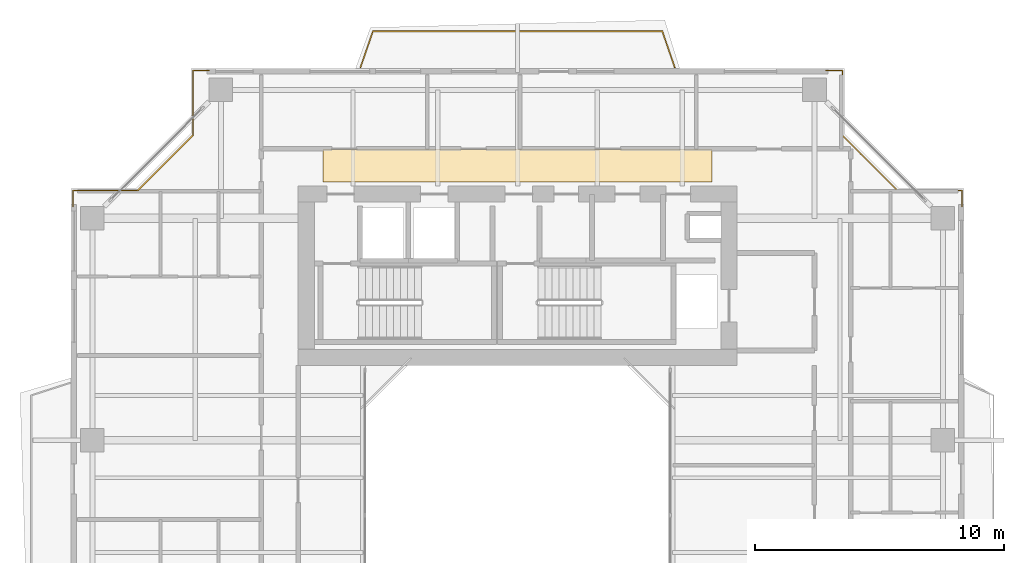
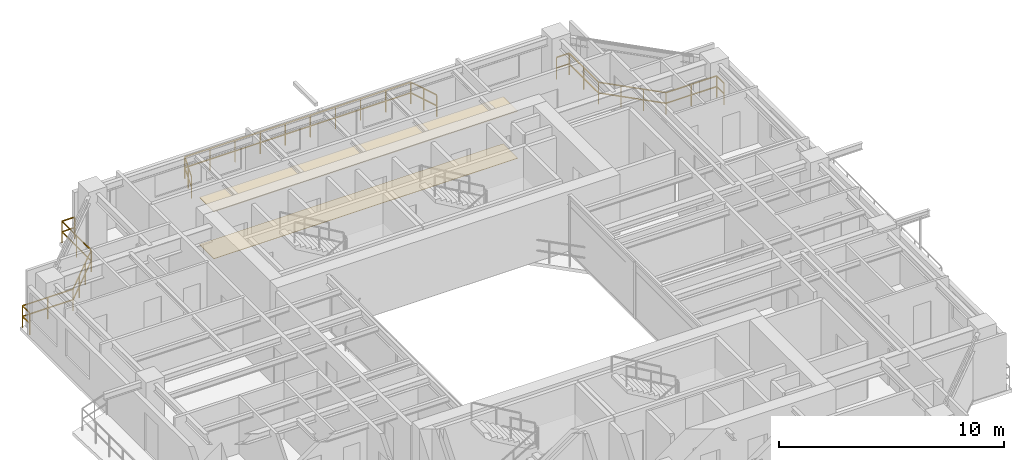
# One storey, part 18 of 18: 3 railings, 2 coverings.
"""IFC4 building model written with IfcOpenShell, lengths in metres."""

from ifc_helpers import new_model, si_unit, direction, frame, origin, origin_2d, place, context, subcontext, project, spatial, polyline, rectangle, outline, extrude, material, layer, layer_set, type_object, element, save


model = new_model("IFC4")

# Units and contexts
model_context = context("Model", 3, precision=1e-05, world=origin(), true_north=direction((0.0, 1.0)))
body_context = subcontext(model_context, "Body", "Model", "MODEL_VIEW")
ifc_project = project(units=[si_unit("LENGTHUNIT", "METRE"), si_unit("AREAUNIT", "SQUARE_METRE"), si_unit("VOLUMEUNIT", "CUBIC_METRE"), si_unit("PLANEANGLEUNIT", "RADIAN"), si_unit("MASSUNIT", "GRAM", prefix="KILO"), si_unit("THERMODYNAMICTEMPERATUREUNIT", "KELVIN"), si_unit("POWERUNIT", "WATT")], contexts=[model_context])

# Site, building, storey
site_placement = place(None, origin())
site = spatial("IfcSite", under=ifc_project, at=site_placement, CompositionType="ELEMENT")
building_placement = place(site_placement, origin())
building = spatial("IfcBuilding", under=site, at=building_placement, Name="Qiaomeng Ring Towers", CompositionType="ELEMENT")
storey_placement = place(building_placement, frame((0.0, 0.0, 179.5)))
storey = spatial("IfcBuildingStorey", under=building, at=storey_placement, Name="L52", CompositionType="ELEMENT", Elevation=179.5)

# Coverings
ifc_material_1 = material(Name="Mineral fibre acoustic ceiling tile", Category="gypsum")
ifc_layer_1 = layer(ifc_material_1, 0.02490234375, Name="Mineral fibre acoustic ceiling tile")
ifc_layer_set_1 = layer_set([ifc_layer_1], Name="Mineral fibre acoustic ceiling tile")
covering_type_1 = type_object("IfcCoveringType", Name="ARC-COV-CEIL1", PredefinedType="CEILING", material=ifc_layer_set_1)
covering_1_placement = place(storey_placement, frame((0.0, 0.0, 2.550048828125)))
element("IfcCovering", 1, at=covering_1_placement, inside=storey, type_object=covering_type_1, Name="L52 Corridor Acoustic Ceiling", PredefinedType="CEILING", context=body_context, shape_type="SweptSolid", body=[
    extrude(outline(polyline([(11.199951171875, 36.35009765625), (11.199951171875, 37.64990234375), (26.800048828125, 37.64990234375), (26.800048828125, 36.35009765625), (11.199951171875, 36.35009765625)])), origin(), (0.0, 0.0, 1.0), 0.02490234375),
])
ifc_material_2 = material(Name="Vitrified porcelain floor tile", Category="ceramic")
ifc_layer_2 = layer(ifc_material_2, 0.02001953125, Name="Vitrified porcelain floor tile")
ifc_layer_set_2 = layer_set([ifc_layer_2], Name="Vitrified porcelain floor tile")
covering_type_2 = type_object("IfcCoveringType", Name="ARC-COV-FLR1", PredefinedType="FLOORING", material=ifc_layer_set_2)
covering_2_placement = place(storey_placement, origin())
element("IfcCovering", 2, at=covering_2_placement, inside=storey, type_object=covering_type_2, Name="L52 Corridor Stone Flooring", PredefinedType="FLOORING", context=body_context, shape_type="SweptSolid", body=[
    extrude(outline(polyline([(11.199951171875, 36.35009765625), (11.199951171875, 37.64990234375), (26.800048828125, 37.64990234375), (26.800048828125, 36.35009765625), (11.199951171875, 36.35009765625)])), origin(), (0.0, 0.0, 1.0), 0.02001953125),
])

# Railings
ifc_material_3 = material(Name="Low-E pale-green laminated safety glass", Category="glass")
railing_type = type_object("IfcRailingType", Name="ARC-RL-BAL1", PredefinedType="BALUSTRADE", material=ifc_material_3)
railing_1_placement = place(storey_placement, frame((36.820068359375, 35.3701171875, 0.0)))
element("IfcRailing", 3, at=railing_1_placement, inside=storey, type_object=railing_type, Name="L52 Balustrade ARC-BAL-NOTCH1-L52-NE", PredefinedType="BALUSTRADE", context=body_context, shape_type="SweptSolid", body=[
    extrude(rectangle(XDim=0.048095703125, YDim=0.048095703125, at=origin_2d()), frame((0.0, 0.0, 1.17578125), z_axis=(0.0, 1.0, 0.0), x_axis=(-1.0, 0.0, 0.0)), (0.0, 0.0, 1.0), 0.64990234375),
    extrude(rectangle(XDim=0.048095703125, YDim=0.048095703125, at=origin_2d()), frame((0.0, 0.0, 0.60009765625), z_axis=(0.0, 1.0, 0.0), x_axis=(-1.0, 0.0, 0.0)), (0.0, 0.0, 1.0), 0.64990234375),
    extrude(rectangle(XDim=0.048095703125, YDim=0.048095703125, at=origin_2d()), frame((0.0, 0.64990234375, 1.17578125), z_axis=(-1.0, 0.0, 0.0), x_axis=(0.0, -1.0, 0.0)), (0.0, 0.0, 1.0), 2.60009765625),
    extrude(rectangle(XDim=0.048095703125, YDim=0.048095703125, at=origin_2d()), frame((0.0, 0.64990234375, 0.60009765625), z_axis=(-1.0, 0.0, 0.0), x_axis=(0.0, -1.0, 0.0)), (0.0, 0.0, 1.0), 2.60009765625),
    extrude(rectangle(XDim=0.048095703125, YDim=0.048095703125, at=origin_2d()), frame((-2.60009765625, 0.64990234375, 1.17578125), z_axis=(-0.707106781187, 0.707106781187, 0.0), x_axis=(-0.707106781187, -0.707106781187, 0.0)), (0.0, 0.0, 1.0), 3.111083984375),
    extrude(rectangle(XDim=0.048095703125, YDim=0.048095703125, at=origin_2d()), frame((-2.60009765625, 0.64990234375, 0.60009765625), z_axis=(-0.707106781187, 0.707106781187, 0.0), x_axis=(-0.707106781187, -0.707106781187, 0.0)), (0.0, 0.0, 1.0), 3.111083984375),
    extrude(rectangle(XDim=0.048095703125, YDim=0.048095703125, at=origin_2d()), frame((-4.800048828125, 2.849853515625, 1.17578125), z_axis=(0.0, 1.0, 0.0), x_axis=(-1.0, 0.0, 0.0)), (0.0, 0.0, 1.0), 2.60009765625),
    extrude(rectangle(XDim=0.048095703125, YDim=0.048095703125, at=origin_2d()), frame((-4.800048828125, 2.849853515625, 0.60009765625), z_axis=(0.0, 1.0, 0.0), x_axis=(-1.0, 0.0, 0.0)), (0.0, 0.0, 1.0), 2.60009765625),
    extrude(rectangle(XDim=0.048095703125, YDim=0.048095703125, at=origin_2d()), frame((-4.800048828125, 5.449951171875, 1.17578125), z_axis=(-1.0, 0.0, 0.0), x_axis=(0.0, -1.0, 0.0)), (0.0, 0.0, 1.0), 0.64990234375),
    extrude(rectangle(XDim=0.048095703125, YDim=0.048095703125, at=origin_2d()), frame((-4.800048828125, 5.449951171875, 0.60009765625), z_axis=(-1.0, 0.0, 0.0), x_axis=(0.0, -1.0, 0.0)), (0.0, 0.0, 1.0), 0.64990234375),
    extrude(rectangle(XDim=0.0419921875, YDim=0.0419921875, at=origin_2d()), origin(), (0.0, 0.0, 1.0), 1.15185546875),
    extrude(rectangle(XDim=0.0419921875, YDim=0.0419921875, at=origin_2d()), frame((0.0, 0.64990234375, 0.0)), (0.0, 0.0, 1.0), 1.15185546875),
    extrude(rectangle(XDim=0.0419921875, YDim=0.0419921875, at=origin_2d()), frame((-1.300048828125, 0.64990234375, 0.0)), (0.0, 0.0, 1.0), 1.15185546875),
    extrude(rectangle(XDim=0.0419921875, YDim=0.0419921875, at=origin_2d()), frame((-2.60009765625, 0.64990234375, 0.0)), (0.0, 0.0, 1.0), 1.15185546875),
    extrude(rectangle(XDim=0.0419921875, YDim=0.0419921875, at=origin_2d()), frame((-3.33349609375, 1.38330078125, 0.0)), (0.0, 0.0, 1.0), 1.15185546875),
    extrude(rectangle(XDim=0.0419921875, YDim=0.0419921875, at=origin_2d()), frame((-4.066650390625, 2.116455078125, 0.0)), (0.0, 0.0, 1.0), 1.15185546875),
    extrude(rectangle(XDim=0.0419921875, YDim=0.0419921875, at=origin_2d()), frame((-4.800048828125, 2.849853515625, 0.0)), (0.0, 0.0, 1.0), 1.15185546875),
    extrude(rectangle(XDim=0.0419921875, YDim=0.0419921875, at=origin_2d()), frame((-4.800048828125, 4.14990234375, 0.0)), (0.0, 0.0, 1.0), 1.15185546875),
    extrude(rectangle(XDim=0.0419921875, YDim=0.0419921875, at=origin_2d()), frame((-4.800048828125, 5.449951171875, 0.0)), (0.0, 0.0, 1.0), 1.15185546875),
    extrude(rectangle(XDim=0.0419921875, YDim=0.0419921875, at=origin_2d()), frame((-5.449951171875, 5.449951171875, 0.0)), (0.0, 0.0, 1.0), 1.15185546875),
])
railing_2_placement = place(storey_placement, frame((6.6298828125, 40.820068359375, 0.0)))
element("IfcRailing", 4, at=railing_2_placement, inside=storey, type_object=railing_type, Name="L52 Balustrade ARC-BAL-NOTCH1-L52-NW", PredefinedType="BALUSTRADE", context=body_context, shape_type="SweptSolid", body=[
    extrude(rectangle(XDim=0.048095703125, YDim=0.048095703125, at=origin_2d()), frame((0.0, 0.0, 1.17578125), z_axis=(-1.0, 0.0, 0.0), x_axis=(0.0, -1.0, 0.0)), (0.0, 0.0, 1.0), 0.64990234375),
    extrude(rectangle(XDim=0.048095703125, YDim=0.048095703125, at=origin_2d()), frame((0.0, 0.0, 0.60009765625), z_axis=(-1.0, 0.0, 0.0), x_axis=(0.0, -1.0, 0.0)), (0.0, 0.0, 1.0), 0.64990234375),
    extrude(rectangle(XDim=0.048095703125, YDim=0.048095703125, at=origin_2d()), frame((-0.64990234375, 0.0, 1.17578125), z_axis=(0.0, -1.0, 0.0), x_axis=(1.0, 0.0, 0.0)), (0.0, 0.0, 1.0), 2.60009765625),
    extrude(rectangle(XDim=0.048095703125, YDim=0.048095703125, at=origin_2d()), frame((-0.64990234375, 0.0, 0.60009765625), z_axis=(0.0, -1.0, 0.0), x_axis=(1.0, 0.0, 0.0)), (0.0, 0.0, 1.0), 2.60009765625),
    extrude(rectangle(XDim=0.048095703125, YDim=0.048095703125, at=origin_2d()), frame((-0.64990234375, -2.60009765625, 1.17578125), z_axis=(-0.707106781187, -0.707106781187, 0.0), x_axis=(0.707106781187, -0.707106781187, 0.0)), (0.0, 0.0, 1.0), 3.111083984375),
    extrude(rectangle(XDim=0.048095703125, YDim=0.048095703125, at=origin_2d()), frame((-0.64990234375, -2.60009765625, 0.60009765625), z_axis=(-0.707106781187, -0.707106781187, 0.0), x_axis=(0.707106781187, -0.707106781187, 0.0)), (0.0, 0.0, 1.0), 3.111083984375),
    extrude(rectangle(XDim=0.048095703125, YDim=0.048095703125, at=origin_2d()), frame((-2.849853515625, -4.800048828125, 1.17578125), z_axis=(-1.0, 0.0, 0.0), x_axis=(0.0, -1.0, 0.0)), (0.0, 0.0, 1.0), 2.60009765625),
    extrude(rectangle(XDim=0.048095703125, YDim=0.048095703125, at=origin_2d()), frame((-2.849853515625, -4.800048828125, 0.60009765625), z_axis=(-1.0, 0.0, 0.0), x_axis=(0.0, -1.0, 0.0)), (0.0, 0.0, 1.0), 2.60009765625),
    extrude(rectangle(XDim=0.048095703125, YDim=0.048095703125, at=origin_2d()), frame((-5.449951171875, -4.800048828125, 1.17578125), z_axis=(0.0, -1.0, 0.0), x_axis=(1.0, 0.0, 0.0)), (0.0, 0.0, 1.0), 0.64990234375),
    extrude(rectangle(XDim=0.048095703125, YDim=0.048095703125, at=origin_2d()), frame((-5.449951171875, -4.800048828125, 0.60009765625), z_axis=(0.0, -1.0, 0.0), x_axis=(1.0, 0.0, 0.0)), (0.0, 0.0, 1.0), 0.64990234375),
    extrude(rectangle(XDim=0.0419921875, YDim=0.0419921875, at=origin_2d()), origin(), (0.0, 0.0, 1.0), 1.15185546875),
    extrude(rectangle(XDim=0.0419921875, YDim=0.0419921875, at=origin_2d()), frame((-0.64990234375, 0.0, 0.0)), (0.0, 0.0, 1.0), 1.15185546875),
    extrude(rectangle(XDim=0.0419921875, YDim=0.0419921875, at=origin_2d()), frame((-0.64990234375, -1.300048828125, 0.0)), (0.0, 0.0, 1.0), 1.15185546875),
    extrude(rectangle(XDim=0.0419921875, YDim=0.0419921875, at=origin_2d()), frame((-0.64990234375, -2.60009765625, 0.0)), (0.0, 0.0, 1.0), 1.15185546875),
    extrude(rectangle(XDim=0.0419921875, YDim=0.0419921875, at=origin_2d()), frame((-1.38330078125, -3.33349609375, 0.0)), (0.0, 0.0, 1.0), 1.15185546875),
    extrude(rectangle(XDim=0.0419921875, YDim=0.0419921875, at=origin_2d()), frame((-2.116455078125, -4.066650390625, 0.0)), (0.0, 0.0, 1.0), 1.15185546875),
    extrude(rectangle(XDim=0.0419921875, YDim=0.0419921875, at=origin_2d()), frame((-2.849853515625, -4.800048828125, 0.0)), (0.0, 0.0, 1.0), 1.15185546875),
    extrude(rectangle(XDim=0.0419921875, YDim=0.0419921875, at=origin_2d()), frame((-4.14990234375, -4.800048828125, 0.0)), (0.0, 0.0, 1.0), 1.15185546875),
    extrude(rectangle(XDim=0.0419921875, YDim=0.0419921875, at=origin_2d()), frame((-5.449951171875, -4.800048828125, 0.0)), (0.0, 0.0, 1.0), 1.15185546875),
    extrude(rectangle(XDim=0.0419921875, YDim=0.0419921875, at=origin_2d()), frame((-5.449951171875, -5.449951171875, 0.0)), (0.0, 0.0, 1.0), 1.15185546875),
])
railing_3_placement = place(storey_placement, frame((12.699951171875, 40.949951171875, 0.0)))
element("IfcRailing", 5, at=railing_3_placement, inside=storey, type_object=railing_type, Name="L52 Balustrade ARC-BAL-L52-T1-N", PredefinedType="BALUSTRADE", context=body_context, shape_type="SweptSolid", body=[
    extrude(rectangle(XDim=0.048095703125, YDim=0.048095703125, at=origin_2d()), frame((0.0, 0.0, 1.17578125), z_axis=(0.326000494605, 0.945369598368, 0.0), x_axis=(-0.945369598368, 0.326000494605, 0.0)), (0.0, 0.0, 1.0), 1.53369140625),
    extrude(rectangle(XDim=0.048095703125, YDim=0.048095703125, at=origin_2d()), frame((0.0, 0.0, 0.60009765625), z_axis=(0.326000494605, 0.945369598368, 0.0), x_axis=(-0.945369598368, 0.326000494605, 0.0)), (0.0, 0.0, 1.0), 1.53369140625),
    extrude(rectangle(XDim=0.048095703125, YDim=0.048095703125, at=origin_2d()), frame((0.5, 1.449951171875, 1.17578125), z_axis=(1.0, 0.0, 0.0), x_axis=(0.0, 1.0, 0.0)), (0.0, 0.0, 1.0), 11.60009765625),
    extrude(rectangle(XDim=0.048095703125, YDim=0.048095703125, at=origin_2d()), frame((0.5, 1.449951171875, 0.60009765625), z_axis=(1.0, 0.0, 0.0), x_axis=(0.0, 1.0, 0.0)), (0.0, 0.0, 1.0), 11.60009765625),
    extrude(rectangle(XDim=0.048095703125, YDim=0.048095703125, at=origin_2d()), frame((12.10009765625, 1.449951171875, 1.17578125), z_axis=(0.326000494605, -0.945369598368, 0.0), x_axis=(0.945369598368, 0.326000494605, 0.0)), (0.0, 0.0, 1.0), 1.53369140625),
    extrude(rectangle(XDim=0.048095703125, YDim=0.048095703125, at=origin_2d()), frame((12.10009765625, 1.449951171875, 0.60009765625), z_axis=(0.326000494605, -0.945369598368, 0.0), x_axis=(0.945369598368, 0.326000494605, 0.0)), (0.0, 0.0, 1.0), 1.53369140625),
    extrude(rectangle(XDim=0.0419921875, YDim=0.0419921875, at=origin_2d()), origin(), (0.0, 0.0, 1.0), 1.15185546875),
    extrude(rectangle(XDim=0.0419921875, YDim=0.0419921875, at=origin_2d()), frame((0.25, 0.72509765625, 0.0)), (0.0, 0.0, 1.0), 1.15185546875),
    extrude(rectangle(XDim=0.0419921875, YDim=0.0419921875, at=origin_2d()), frame((0.5, 1.449951171875, 0.0)), (0.0, 0.0, 1.0), 1.15185546875),
    extrude(rectangle(XDim=0.0419921875, YDim=0.0419921875, at=origin_2d()), frame((1.788818359375, 1.449951171875, 0.0)), (0.0, 0.0, 1.0), 1.15185546875),
    extrude(rectangle(XDim=0.0419921875, YDim=0.0419921875, at=origin_2d()), frame((3.077880859375, 1.449951171875, 0.0)), (0.0, 0.0, 1.0), 1.15185546875),
    extrude(rectangle(XDim=0.0419921875, YDim=0.0419921875, at=origin_2d()), frame((4.36669921875, 1.449951171875, 0.0)), (0.0, 0.0, 1.0), 1.15185546875),
    extrude(rectangle(XDim=0.0419921875, YDim=0.0419921875, at=origin_2d()), frame((5.655517578125, 1.449951171875, 0.0)), (0.0, 0.0, 1.0), 1.15185546875),
    extrude(rectangle(XDim=0.0419921875, YDim=0.0419921875, at=origin_2d()), frame((6.944580078125, 1.449951171875, 0.0)), (0.0, 0.0, 1.0), 1.15185546875),
    extrude(rectangle(XDim=0.0419921875, YDim=0.0419921875, at=origin_2d()), frame((8.2333984375, 1.449951171875, 0.0)), (0.0, 0.0, 1.0), 1.15185546875),
    extrude(rectangle(XDim=0.0419921875, YDim=0.0419921875, at=origin_2d()), frame((9.522216796875, 1.449951171875, 0.0)), (0.0, 0.0, 1.0), 1.15185546875),
    extrude(rectangle(XDim=0.0419921875, YDim=0.0419921875, at=origin_2d()), frame((10.811279296875, 1.449951171875, 0.0)), (0.0, 0.0, 1.0), 1.15185546875),
    extrude(rectangle(XDim=0.0419921875, YDim=0.0419921875, at=origin_2d()), frame((12.10009765625, 1.449951171875, 0.0)), (0.0, 0.0, 1.0), 1.15185546875),
    extrude(rectangle(XDim=0.0419921875, YDim=0.0419921875, at=origin_2d()), frame((12.35009765625, 0.72509765625, 0.0)), (0.0, 0.0, 1.0), 1.15185546875),
    extrude(rectangle(XDim=0.0419921875, YDim=0.0419921875, at=origin_2d()), frame((12.60009765625, 0.0, 0.0)), (0.0, 0.0, 1.0), 1.15185546875),
])

save(model, "model.ifc")
